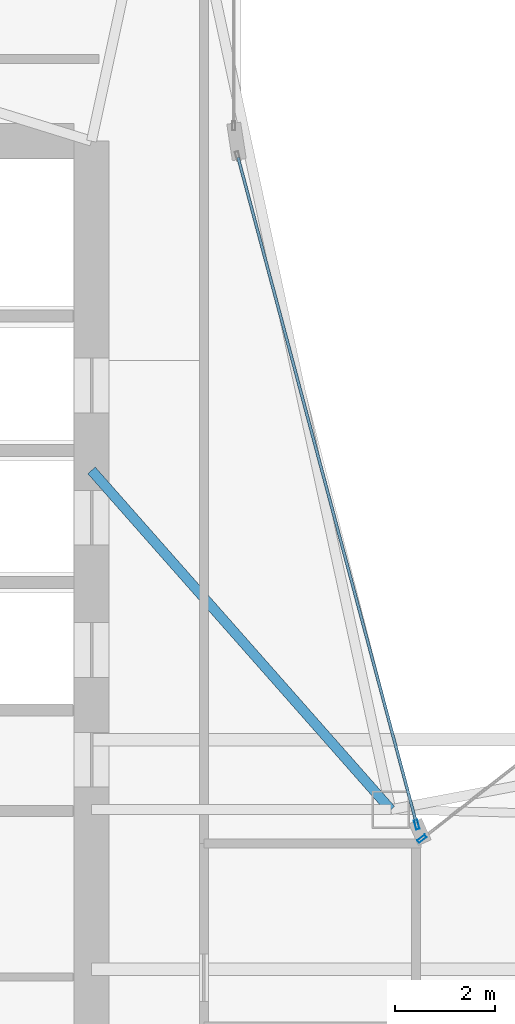
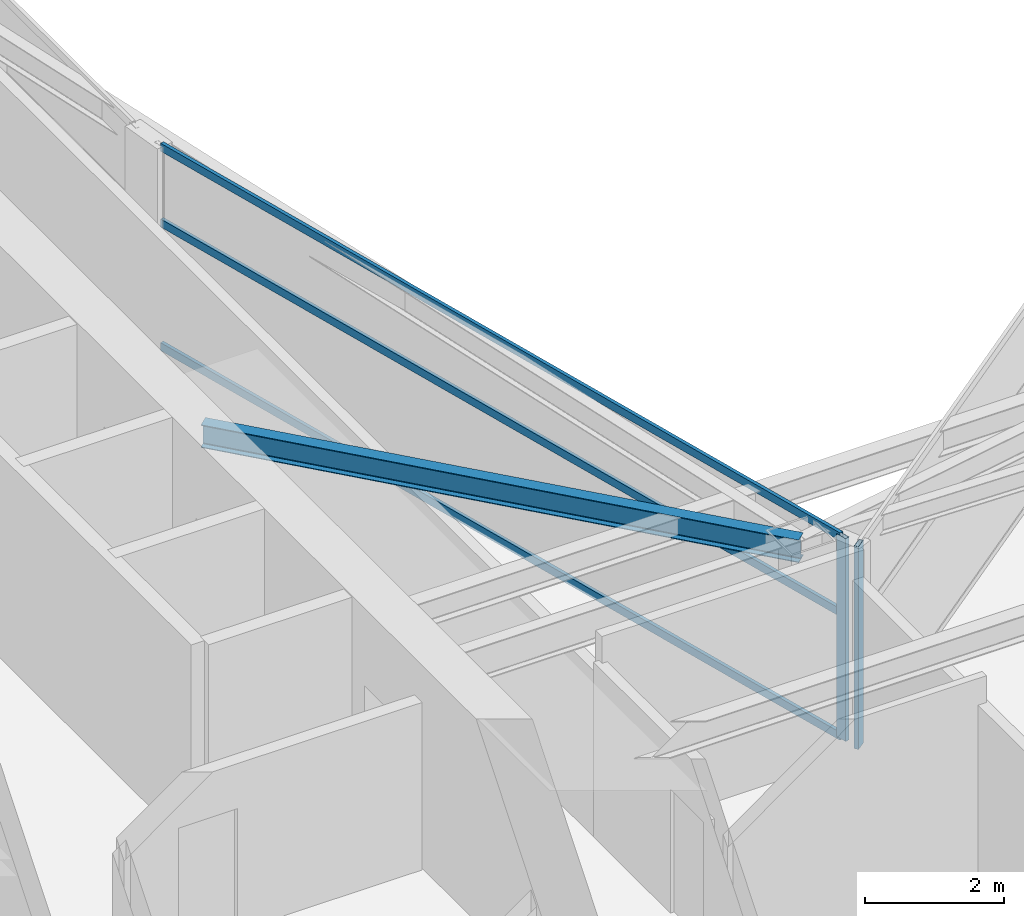
# One storey, part 10 of 30: 5 members, 1 beam, 2 elements without a shape of their own.
"""IFC4 building model written with IfcOpenShell, lengths in metres."""

import ifcopenshell
import ifcopenshell.guid

model = None  # the IFC model being written
_history = None  # IfcOwnerHistory: only IFC2X3 demands one
_inside = {}  # id of a spatial element -> (the spatial element, [elements in it])
_under = {}  # id of a project, library or spatial element -> (it, [spatial elements below it])
_declared = {}  # id of a project -> (the project, [libraries it declares])
_typed = {}  # id of a type object -> (the type object, [elements of that type])
_made_of = {}  # id of a material, layer set ... -> (it, [elements and type objects made of it])


def new_model(schema):
    """Start an empty IFC model of exactly this schema.

    Asked for "IFC4X3", IfcOpenShell would pick the latest addendum, in which some entities
    have other attributes; the version numbers below select the first issue.
    IFC2X3 requires an IfcOwnerHistory on every rooted entity: one is made here for all.
    """
    global model, _history
    if schema == "IFC4X3":
        model = ifcopenshell.file(schema_version=(4, 3, 0, 0))
    else:
        model = ifcopenshell.file(schema=schema)
    _inside.clear()
    _under.clear()
    _declared.clear()
    _typed.clear()
    _made_of.clear()
    _history = None
    if model.schema == "IFC2X3":
        org = make("IfcOrganization", Name="unknown")
        user = make(
            "IfcPersonAndOrganization",
            ThePerson=make("IfcPerson", FamilyName="unknown"),
            TheOrganization=org,
        )
        app = make(
            "IfcApplication",
            ApplicationDeveloper=org,
            Version="unknown",
            ApplicationFullName="unknown",
            ApplicationIdentifier="unknown",
        )
        _history = make(
            "IfcOwnerHistory",
            OwningUser=user,
            OwningApplication=app,
            ChangeAction="ADDED",
            CreationDate=0,
        )
    return model


def make(cls, **values):
    """One entity of the class cls with the attributes given. An attribute that is None is left unset."""
    return model.create_entity(
        cls, **{name: value for name, value in values.items() if value is not None}
    )


def rooted(cls, **values):
    """An entity with a GlobalId (a new one), such as an element, a storey or a relation."""
    return make(cls, GlobalId=ifcopenshell.guid.new(), OwnerHistory=_history, **values)


def si_unit(unit_type, name, prefix=None):
    """IfcSIUnit, for example si_unit("LENGTHUNIT", "METRE", prefix="MILLI")."""
    return make("IfcSIUnit", UnitType=unit_type, Prefix=prefix, Name=name)


def assignment(units):
    """IfcUnitAssignment: the units of a project."""
    return None if units is None else make("IfcUnitAssignment", Units=units)


def point(xyz):
    """IfcCartesianPoint."""
    return None if xyz is None else make("IfcCartesianPoint", Coordinates=xyz)


def direction(xyz):
    """IfcDirection."""
    return None if xyz is None else make("IfcDirection", DirectionRatios=xyz)


def frame(location, z_axis=None, x_axis=None):
    """IfcAxis2Placement3D, a coordinate frame: its origin and axes. An axis left out is left unset."""
    return make(
        "IfcAxis2Placement3D",
        Location=point(location),
        Axis=direction(z_axis),
        RefDirection=direction(x_axis),
    )


def frame_2d(location, x_axis=None):
    """IfcAxis2Placement2D, a coordinate frame in the plane: its origin and x axis."""
    return make(
        "IfcAxis2Placement2D", Location=point(location), RefDirection=direction(x_axis)
    )


def origin():
    """The frame at (0, 0, 0) with its axes left unset."""
    return frame((0.0, 0.0, 0.0))


def origin_2d():
    """The frame at (0, 0) in the plane with its x axis left unset."""
    return frame_2d((0.0, 0.0))


def place(relative_to, where):
    """IfcLocalPlacement: puts the frame where relative to a parent placement (None: the world)."""
    return make(
        "IfcLocalPlacement", PlacementRelTo=relative_to, RelativePlacement=where
    )


def context(
    kind, dimensions, precision=None, world=None, true_north=None, identifier=None
):
    """IfcGeometricRepresentationContext, for example the 3D "Model" context."""
    return make(
        "IfcGeometricRepresentationContext",
        ContextIdentifier=identifier,
        ContextType=kind,
        CoordinateSpaceDimension=dimensions,
        Precision=precision,
        WorldCoordinateSystem=world,
        TrueNorth=true_north,
    )


def subcontext(parent, identifier, kind, view, scale=None):
    """IfcGeometricRepresentationSubContext, for example "Body" below "Model"."""
    return make(
        "IfcGeometricRepresentationSubContext",
        ContextIdentifier=identifier,
        ContextType=kind,
        ParentContext=parent,
        TargetScale=scale,
        TargetView=view,
    )


def project(units=None, contexts=None):
    """IfcProject with its units and contexts."""
    return rooted(
        "IfcProject",
        Name="project",
        RepresentationContexts=contexts,
        UnitsInContext=assignment(units),
    )


def spatial(cls, under=None, at=None, **own):
    """A site, building, storey or space (cls), placed at a placement, below another one or the project."""
    s = rooted(cls, ObjectPlacement=at, **own)
    if under is not None:
        _under.setdefault(under.id(), (under, []))[1].append(s)
    return s


def profile(cls, at=None, kind="AREA", **sizes):
    """A parametric profile (cls). Its sizes go by their IFC names, for example OverallWidth=200.0."""
    return make(cls, ProfileType=kind, Position=at, **sizes)


def hollow_rectangle(**sizes):
    """IfcRectangleHollowProfileDef."""
    return profile("IfcRectangleHollowProfileDef", **sizes)


def i_section(**sizes):
    """IfcIShapeProfileDef."""
    return profile("IfcIShapeProfileDef", **sizes)


def extrude(swept, where, along, depth):
    """IfcExtrudedAreaSolid: the profile swept, set in the frame where, extruded along a direction by depth."""
    return make(
        "IfcExtrudedAreaSolid",
        SweptArea=swept,
        Position=where,
        ExtrudedDirection=direction(along),
        Depth=depth,
    )


def shape(context_of_items, identifier, shape_type, items):
    """IfcShapeRepresentation: the items that make up one representation, for example the "Body"."""
    return make(
        "IfcShapeRepresentation",
        ContextOfItems=context_of_items,
        RepresentationIdentifier=identifier,
        RepresentationType=shape_type,
        Items=items,
    )


def material(Name=None, Category=None):
    """IfcMaterial."""
    return make("IfcMaterial", Name=Name, Category=Category)


def layer(
    of_material, thickness, ventilated=None, Name=None, Category=None, Priority=None
):
    """IfcMaterialLayer: one layer of a wall or slab, of a material (None: an air gap)."""
    return make(
        "IfcMaterialLayer",
        Material=of_material,
        LayerThickness=thickness,
        IsVentilated=ventilated,
        Name=Name,
        Category=Category,
        Priority=Priority,
    )


def layer_set(layers, Name=None):
    """IfcMaterialLayerSet."""
    return make("IfcMaterialLayerSet", MaterialLayers=layers, LayerSetName=Name)


def material_profile(
    of_material, cross_section, Name=None, Category=None, Priority=None
):
    """IfcMaterialProfile: a cross section and its material."""
    return make(
        "IfcMaterialProfile",
        Name=Name,
        Material=of_material,
        Profile=cross_section,
        Priority=Priority,
        Category=Category,
    )


def profile_set(profiles, Name=None, composite=None):
    """IfcMaterialProfileSet."""
    return make(
        "IfcMaterialProfileSet",
        Name=Name,
        MaterialProfiles=profiles,
        CompositeProfile=composite,
    )


def made_of(thing, what):
    """Note that an element or type object is made of a material, layer set ...; save() writes the relation."""
    if what is not None:
        _made_of.setdefault(what.id(), (what, []))[1].append(thing)
    return thing


def type_object(cls, material=None, **own):
    """A type object (cls), such as IfcWallType, which elements share."""
    return made_of(rooted(cls, **own), material)


def element(
    cls,
    number,
    at=None,
    inside=None,
    cuts=None,
    type_object=None,
    material=None,
    context=None,
    identifier="Body",
    shape_type=None,
    held_by="IfcProductDefinitionShape",
    body=None,
    shapes=None,
    **own,
):
    """One element of the class cls, such as IfcWall. Its Tag is "e" and its number.

    at: its placement. inside: the storey or other place that contains it. cuts: it is an
    opening in that element (IfcRelVoidsElement). A single representation is given by context,
    identifier, shape_type and body (its items); several are given by shapes. held_by: the class
    of the entity that holds the representations. save() writes the other relations.
    """
    e = rooted(cls, Tag="e%d" % number, ObjectPlacement=at, **own)
    if body is not None:
        shapes = [shape(context, identifier, shape_type, body)]
    if shapes is not None:
        e.Representation = make(held_by, Representations=shapes)
    if inside is not None:
        _inside.setdefault(inside.id(), (inside, []))[1].append(e)
    if cuts is not None:
        rooted(
            "IfcRelVoidsElement", RelatingBuildingElement=cuts, RelatedOpeningElement=e
        )
    if type_object is not None:
        _typed.setdefault(type_object.id(), (type_object, []))[1].append(e)
    return made_of(e, material)


def aggregate(whole, parts):
    """IfcRelAggregates: a whole, such as a stair, and the parts it consists of."""
    return rooted("IfcRelAggregates", RelatingObject=whole, RelatedObjects=parts)


def save(model, path):
    """Write the relations noted so far, then the file.

    IfcRelAggregates (storeys below a building ...), IfcRelContainedInSpatialStructure (elements
    in a storey), IfcRelDefinesByType, IfcRelAssociatesMaterial and IfcRelDeclares: one each for
    every whole, place, type object, material and project.
    """
    for whole, parts in _under.values():
        aggregate(whole, parts)
    for where, things in _inside.values():
        rooted(
            "IfcRelContainedInSpatialStructure",
            RelatedElements=things,
            RelatingStructure=where,
        )
    for kind, things in _typed.values():
        rooted("IfcRelDefinesByType", RelatedObjects=things, RelatingType=kind)
    for what, things in _made_of.values():
        rooted("IfcRelAssociatesMaterial", RelatedObjects=things, RelatingMaterial=what)
    for by, libraries in _declared.values():
        rooted("IfcRelDeclares", RelatingContext=by, RelatedDefinitions=libraries)
    model.write(path)


model = new_model("IFC4")

# Units and contexts
model_context = context("Model", 3, precision=1e-05, world=origin(), true_north=direction((0.0, 1.0)))
body_context = subcontext(model_context, "Body", "Model", "MODEL_VIEW")
ifc_project = project(units=[si_unit("LENGTHUNIT", "METRE"), si_unit("AREAUNIT", "SQUARE_METRE"), si_unit("VOLUMEUNIT", "CUBIC_METRE"), si_unit("PLANEANGLEUNIT", "RADIAN"), si_unit("MASSUNIT", "GRAM", prefix="KILO")], contexts=[model_context])

# Site, building, storey
site_placement = place(None, origin())
site = spatial("IfcSite", under=ifc_project, at=site_placement, CompositionType="ELEMENT")
building_placement = place(site_placement, origin())
building = spatial("IfcBuilding", under=site, at=building_placement, Name="Calvorn Quay Hotel", CompositionType="ELEMENT")
storey_placement = place(building_placement, frame((0.0, 0.0, 203.39990234375)))
storey = spatial("IfcBuildingStorey", under=building, at=storey_placement, Name="L50", CompositionType="ELEMENT", Elevation=203.39990234375)

# Beam
ifc_material_1 = material(Name="Steel Q355B", Category="steel")
ifc_material_profile_1 = material_profile(ifc_material_1, i_section(OverallWidth=0.199951171875, OverallDepth=0.39990234375, WebThickness=0.008056640625, FlangeThickness=0.012939453125, FilletRadius=0.01611328125, at=origin_2d()), Name="HN400x200x8x13")
ifc_profile_set_1 = profile_set([ifc_material_profile_1], Name="Steel Q355B")
beam_type = type_object("IfcBeamType", Name="BM-JOIST-TYP", PredefinedType="JOIST", material=ifc_profile_set_1)
beam_placement = place(storey_placement, frame((15.0, 31.800048828125, 3.340087890625), z_axis=(0.661618965899, -0.749840212287, 0.0), x_axis=(0.749840212287, 0.661618965899, 0.0)))
element("IfcBeam", 1, at=beam_placement, inside=storey, type_object=beam_type, Name="Beam BJ-L50-C1", PredefinedType="JOIST", context=body_context, shape_type="SweptSolid", body=[
    extrude(i_section(OverallWidth=0.199951171875, OverallDepth=0.39990234375, WebThickness=0.008056640625, FlangeThickness=0.012939453125, FilletRadius=0.01611328125, at=origin_2d()), origin(), (0.0, 0.0, 1.0), 9.068603515625),
])

# Curtain wall, member
ifc_material_2 = material(Name="Champagne Bronze Anodised Aluminium and Low-E Glass", Category="aluminium")
ifc_layer = layer(ifc_material_2, 0.219970703125)
ifc_layer_set = layer_set([ifc_layer], Name="CW-SYS-Z3")
curtain_wall_type = type_object("IfcCurtainWallType", Name="CW-SYS-Z3", PredefinedType="NOTDEFINED", material=ifc_layer_set)
curtain_wall_1_placement = place(storey_placement, origin())
curtain_wall_1 = element("IfcCurtainWall", 2, at=curtain_wall_1_placement, inside=storey, type_object=curtain_wall_type, Name="Inner Court Curtain Wall L50-NE1", PredefinedType="NOTDEFINED")
ifc_material_3 = material(Name="Champagne Bronze Anodised Aluminium 6063-T6", Category="aluminium")
ifc_material_profile_2 = material_profile(ifc_material_3, hollow_rectangle(XDim=0.068115234375, YDim=0.18505859375, WallThickness=0.00390625, at=origin_2d()), Name="ALU-M185x68x4")
ifc_profile_set_2 = profile_set([ifc_material_profile_2], Name="Champagne Bronze Anodised Aluminium 6063-T6")
member_type_1 = type_object("IfcMemberType", Name="CW-SYS-Z3-MUL", PredefinedType="MULLION", material=ifc_profile_set_2)
member_1_placement = place(storey_placement, frame((21.62353515625, 24.41845703125, 0.0), z_axis=(0.0, 0.0, 1.0), x_axis=(0.615819768044, -0.787887056174, 0.0)))
member_1 = element("IfcMember", 3, at=member_1_placement, type_object=member_type_1, Name="CW-L50-NE1 mullion 3", PredefinedType="MULLION", context=body_context, shape_type="SweptSolid", body=[
    extrude(hollow_rectangle(XDim=0.068115234375, YDim=0.18505859375, WallThickness=0.00390625, at=origin_2d()), origin(), (0.0, 0.0, 1.0), 3.56005859375),
])
aggregate(curtain_wall_1, [member_1])

# Curtain wall, members
curtain_wall_2_placement = place(storey_placement, origin())
curtain_wall_2 = element("IfcCurtainWall", 4, at=curtain_wall_2_placement, inside=storey, type_object=curtain_wall_type, Name="Inner Court Curtain Wall L50-IC1", PredefinedType="NOTDEFINED")
member_2_placement = place(storey_placement, frame((21.520263671875, 24.698974609375, 0.0), z_axis=(0.0, 0.0, 1.0), x_axis=(-0.96593652056, -0.25877913024, 0.0)))
member_2 = element("IfcMember", 5, at=member_2_placement, type_object=member_type_1, Name="CW-L50-IC1 mullion 1", PredefinedType="MULLION", context=body_context, shape_type="SweptSolid", body=[
    extrude(hollow_rectangle(XDim=0.068115234375, YDim=0.18505859375, WallThickness=0.00390625, at=origin_2d()), origin(), (0.0, 0.0, 1.0), 3.56005859375),
])
ifc_material_4 = material(Name="Champagne Bronze Anodised Aluminium 6063-T6", Category="aluminium")
ifc_material_profile_3 = material_profile(ifc_material_4, hollow_rectangle(XDim=0.05810546875, YDim=0.139892578125, WallThickness=0.003173828125, at=origin_2d()), Name="ALU-T140x58x3.2")
ifc_profile_set_3 = profile_set([ifc_material_profile_3], Name="Champagne Bronze Anodised Aluminium 6063-T6")
member_type_2 = type_object("IfcMemberType", Name="CW-SYS-Z3-TRN", PredefinedType="USERDEFINED", material=ifc_profile_set_3)
member_3_placement = place(storey_placement, frame((21.512451171875, 24.72802734375, 0.030029296875), z_axis=(-0.258781136883, 0.965935982969, 0.0), x_axis=(-0.965935982969, -0.258781136883, 0.0)))
member_3 = element("IfcMember", 6, at=member_3_placement, type_object=member_type_2, Name="CW-L50-IC1 transom 1.1", ObjectType="TRANSOM", PredefinedType="USERDEFINED", context=body_context, shape_type="SweptSolid", body=[
    extrude(hollow_rectangle(XDim=0.05810546875, YDim=0.139892578125, WallThickness=0.003173828125, at=origin_2d()), origin(), (0.0, 0.0, 1.0), 13.814453125),
])
member_4_placement = place(storey_placement, frame((21.512451171875, 24.72802734375, 2.2001953125), z_axis=(-0.258781136883, 0.965935982969, 0.0), x_axis=(-0.965935982969, -0.258781136883, 0.0)))
member_4 = element("IfcMember", 7, at=member_4_placement, type_object=member_type_2, Name="CW-L50-IC1 transom 1.2", ObjectType="TRANSOM", PredefinedType="USERDEFINED", context=body_context, shape_type="SweptSolid", body=[
    extrude(hollow_rectangle(XDim=0.05810546875, YDim=0.139892578125, WallThickness=0.003173828125, at=origin_2d()), origin(), (0.0, 0.0, 1.0), 13.814453125),
])
member_5_placement = place(storey_placement, frame((21.512451171875, 24.72802734375, 3.530029296875), z_axis=(-0.258781136883, 0.965935982969, 0.0), x_axis=(-0.965935982969, -0.258781136883, 0.0)))
member_5 = element("IfcMember", 8, at=member_5_placement, type_object=member_type_2, Name="CW-L50-IC1 transom 1.3", ObjectType="TRANSOM", PredefinedType="USERDEFINED", context=body_context, shape_type="SweptSolid", body=[
    extrude(hollow_rectangle(XDim=0.05810546875, YDim=0.139892578125, WallThickness=0.003173828125, at=origin_2d()), origin(), (0.0, 0.0, 1.0), 13.814453125),
])
aggregate(curtain_wall_2, [member_2, member_3, member_4, member_5])

save(model, "model.ifc")
